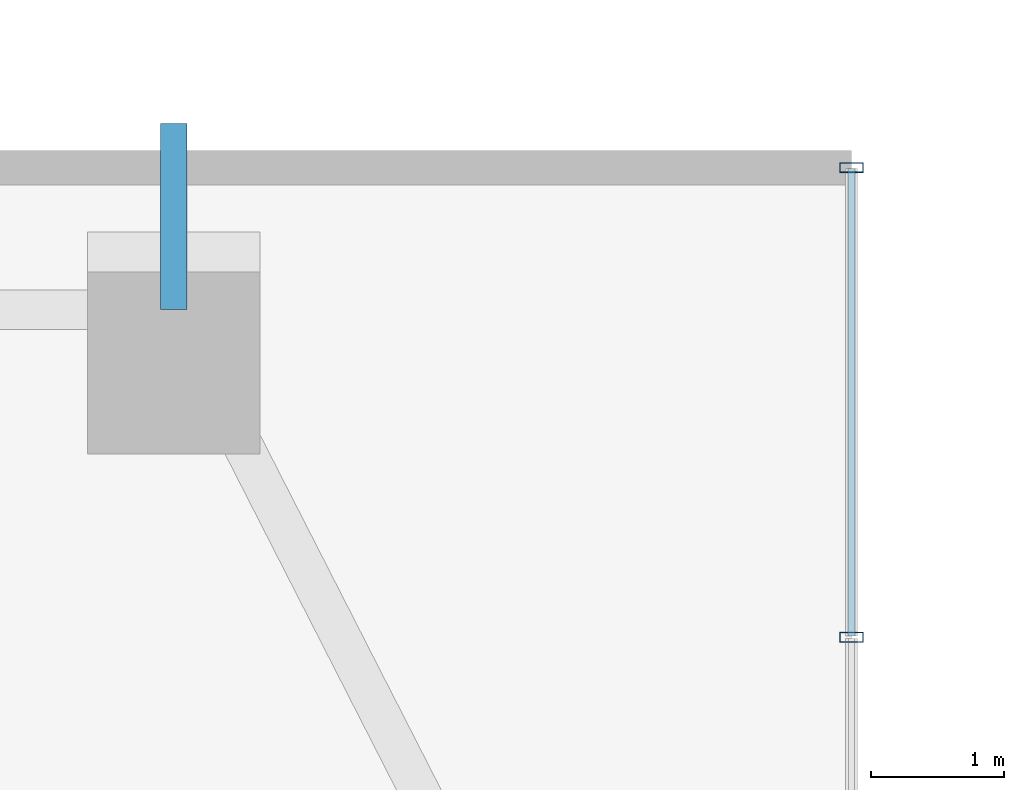
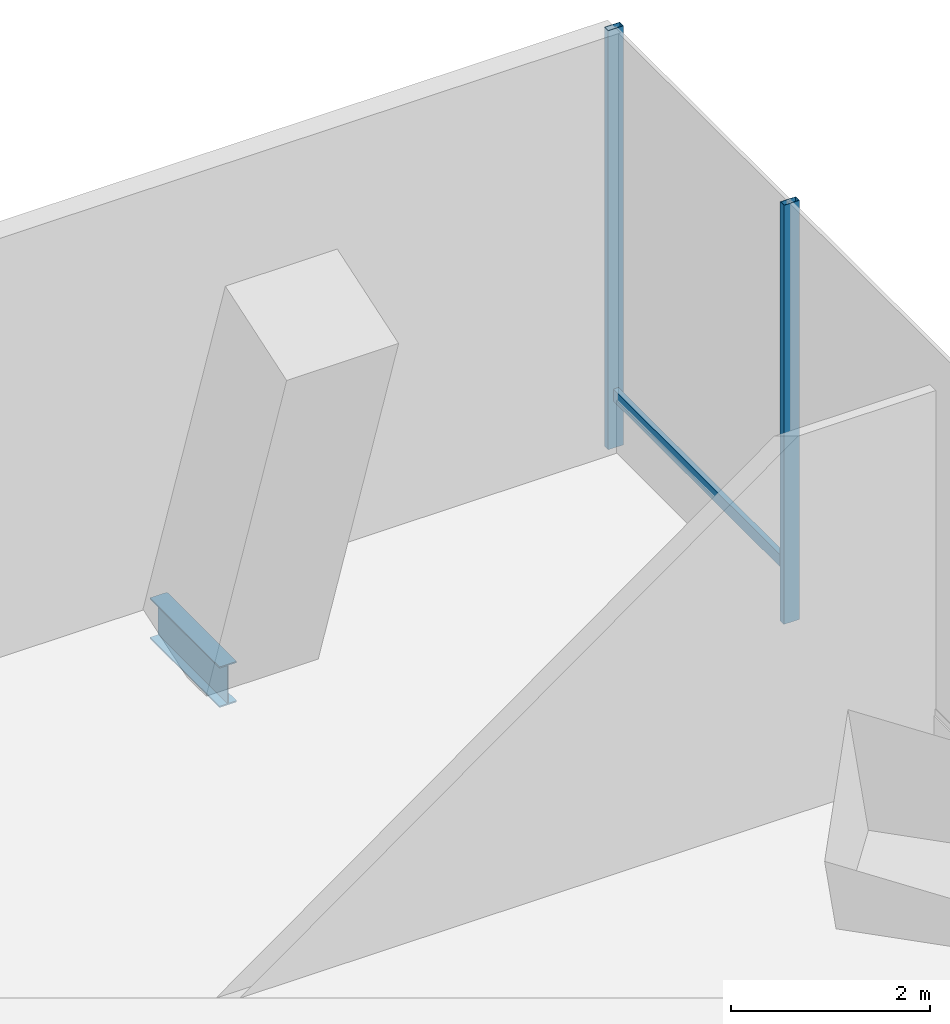
# One storey, part 22 of 28: 3 members, 1 beam, 1 element without a shape of its own.
"""IFC4 building model written with IfcOpenShell, lengths in metres."""

from ifc_helpers import new_model, si_unit, direction, frame, origin, origin_2d, place, context, subcontext, project, spatial, hollow_rectangle, i_section, extrude, material, layer, layer_set, material_profile, profile_set, type_object, element, aggregate, save


model = new_model("IFC4")

# Units and contexts
model_context = context("Model", 3, precision=1e-05, world=origin(), true_north=direction((0.0, 1.0)))
body_context = subcontext(model_context, "Body", "Model", "MODEL_VIEW")
ifc_project = project(units=[si_unit("LENGTHUNIT", "METRE"), si_unit("AREAUNIT", "SQUARE_METRE"), si_unit("VOLUMEUNIT", "CUBIC_METRE"), si_unit("PLANEANGLEUNIT", "RADIAN"), si_unit("MASSUNIT", "GRAM", prefix="KILO")], contexts=[model_context])

# Site, building, storey
site_placement = place(None, origin())
site = spatial("IfcSite", under=ifc_project, at=site_placement, CompositionType="ELEMENT")
building_placement = place(site_placement, origin())
building = spatial("IfcBuilding", under=site, at=building_placement, Name="Belovzor Exchange Tower", CompositionType="ELEMENT")
storey_placement = place(building_placement, frame((0.0, 0.0, 132.89990234375)))
storey = spatial("IfcBuildingStorey", under=building, at=storey_placement, Name="L32", CompositionType="ELEMENT", Elevation=132.89990234375)

# Beam
ifc_material_1 = material(Name="Steel S355", Category="steel")
ifc_material_profile_1 = material_profile(ifc_material_1, i_section(OverallWidth=0.199951171875, OverallDepth=0.5, WebThickness=0.01025390625, FlangeThickness=0.01611328125, at=origin_2d()))
ifc_profile_set_1 = profile_set([ifc_material_profile_1], Name="Steel S355")
beam_type = type_object("IfcBeamType", Name="Planted Balcony Cantilever Beam IPE 500", PredefinedType="BEAM", material=ifc_profile_set_1)
beam_placement = place(storey_placement, frame((42.60009765625, 53.699951171875, -0.5), z_axis=(0.0, 1.0, 0.0), x_axis=(-1.0, 0.0, 0.0)))
element("IfcBeam", 1, at=beam_placement, inside=storey, type_object=beam_type, Name="BC-500 Planted Balcony Cantilever Beam IPE 500", PredefinedType="BEAM", context=body_context, shape_type="SweptSolid", body=[
    extrude(i_section(OverallWidth=0.199951171875, OverallDepth=0.5, WebThickness=0.01025390625, FlangeThickness=0.01611328125, at=origin_2d()), origin(), (0.0, 0.0, 1.0), 1.400146484375),
])

# Curtain wall, members
ifc_material_2 = material(Name="Anodised Aluminium Framing", Category="aluminium")
ifc_layer = layer(ifc_material_2, 0.195068359375)
ifc_layer_set = layer_set([ifc_layer], Name="Anodised Aluminium Framing")
curtain_wall_type = type_object("IfcCurtainWallType", Name="Notched Re-Entrant Corner Unitised Curtain Wall", PredefinedType="NOTDEFINED", material=ifc_layer_set)
curtain_wall_placement = place(storey_placement, origin())
curtain_wall = element("IfcCurtainWall", 2, at=curtain_wall_placement, inside=storey, type_object=curtain_wall_type, Name="CW5 Notched Re-Entrant Corner Unitised Curtain Wall L32", PredefinedType="NOTDEFINED")
ifc_material_3 = material(Name="Steel S355", Category="steel")
ifc_material_profile_2 = material_profile(ifc_material_3, hollow_rectangle(XDim=0.074951171875, YDim=0.179931640625, WallThickness=0.0048828125, at=origin_2d()))
ifc_profile_set_2 = profile_set([ifc_material_profile_2], Name="Steel S355")
member_type_1 = type_object("IfcMemberType", Name="Thermally Broken Curtain Wall Mullion 180x75", PredefinedType="MULLION", material=ifc_profile_set_2)
member_1_placement = place(storey_placement, frame((47.699951171875, 54.77001953125, 0.0), z_axis=(0.0, 0.0, 1.0), x_axis=(0.0, -1.0, 0.0)))
member_1 = element("IfcMember", 3, at=member_1_placement, type_object=member_type_1, Name="CW-M180 Curtain Wall Mullion 1", PredefinedType="MULLION", context=body_context, shape_type="SweptSolid", body=[
    extrude(hollow_rectangle(XDim=0.074951171875, YDim=0.179931640625, WallThickness=0.0048828125, at=origin_2d()), origin(), (0.0, 0.0, 1.0), 5.14501953125),
])
member_2_placement = place(storey_placement, frame((47.699951171875, 51.235107421875, 0.0), z_axis=(0.0, 0.0, 1.0), x_axis=(0.0, -1.0, 0.0)))
member_2 = element("IfcMember", 4, at=member_2_placement, type_object=member_type_1, Name="CW-M180 Curtain Wall Mullion 2", PredefinedType="MULLION", context=body_context, shape_type="SweptSolid", body=[
    extrude(hollow_rectangle(XDim=0.074951171875, YDim=0.179931640625, WallThickness=0.0048828125, at=origin_2d()), origin(), (0.0, 0.0, 1.0), 5.14501953125),
])
ifc_material_4 = material(Name="Steel S355", Category="steel")
ifc_material_profile_3 = material_profile(ifc_material_4, hollow_rectangle(XDim=0.06005859375, YDim=0.14990234375, WallThickness=0.00390625, at=origin_2d()))
ifc_profile_set_3 = profile_set([ifc_material_profile_3], Name="Steel S355")
member_type_2 = type_object("IfcMemberType", Name="Thermally Broken Curtain Wall Transom 150x60", PredefinedType="USERDEFINED", material=ifc_profile_set_3)
member_3_placement = place(storey_placement, frame((47.699951171875, 54.761962890625, 0.650146484375), z_axis=(0.0, -1.0, 0.0), x_axis=(1.0, 0.0, 0.0)))
member_3 = element("IfcMember", 5, at=member_3_placement, type_object=member_type_2, Name="CW-T150 Curtain Wall Transom 1", ObjectType="TRANSOM", PredefinedType="USERDEFINED", context=body_context, shape_type="SweptSolid", body=[
    extrude(hollow_rectangle(XDim=0.06005859375, YDim=0.14990234375, WallThickness=0.00390625, at=origin_2d()), origin(), (0.0, 0.0, 1.0), 3.51904296875),
])
aggregate(curtain_wall, [member_1, member_2, member_3])

save(model, "model.ifc")
